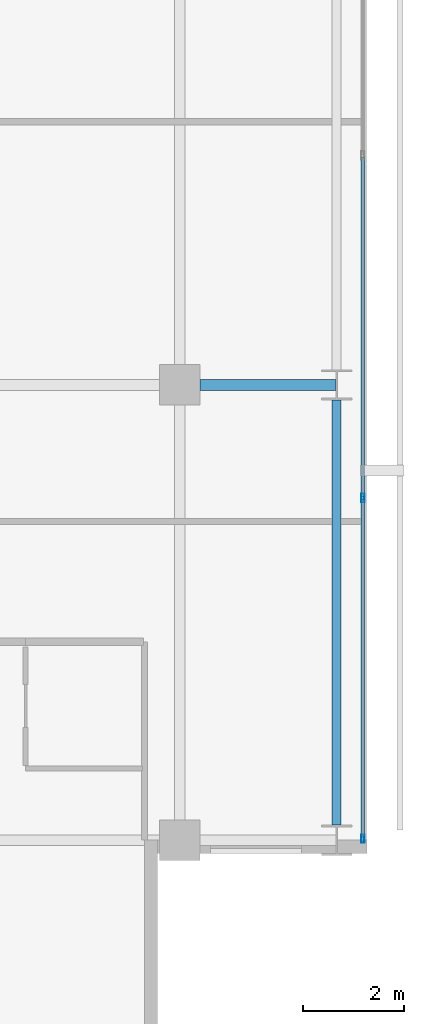
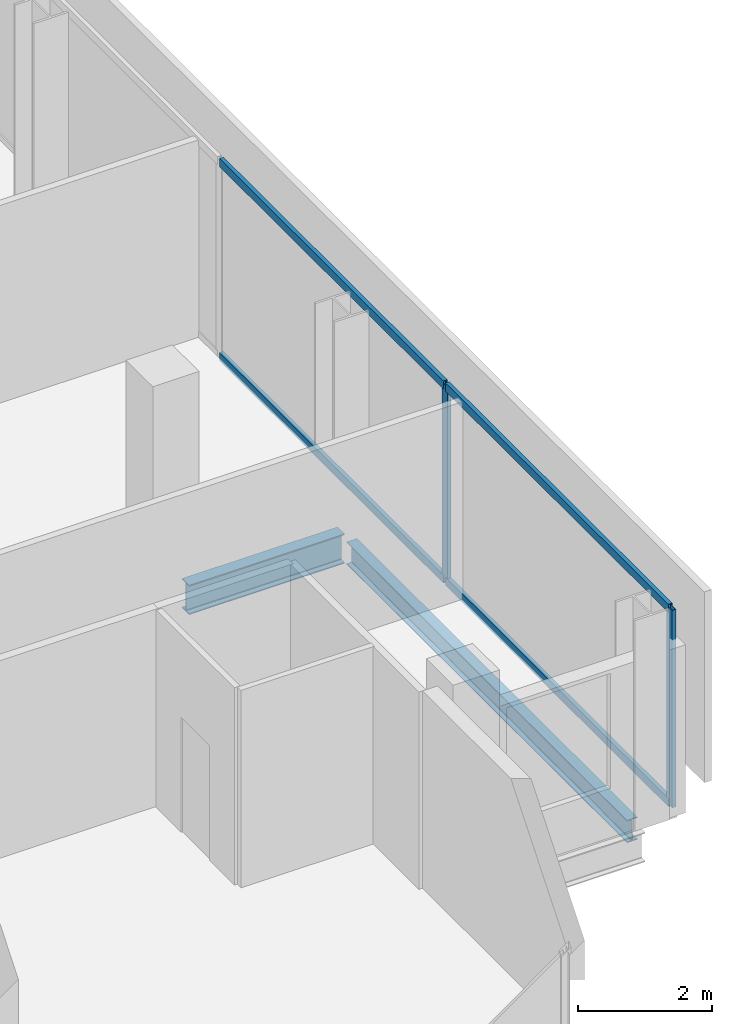
# One storey, part 15 of 32: 6 members, 2 beams, 1 element without a shape of its own.
"""IFC4 building model written with IfcOpenShell, lengths in metres."""

from ifc_helpers import new_model, si_unit, direction, frame, origin, origin_2d, place, context, subcontext, project, spatial, hollow_rectangle, i_section, extrude, material, layer, layer_set, material_profile, profile_set, type_object, element, aggregate, save


model = new_model("IFC4")

# Units and contexts
model_context = context("Model", 3, precision=1e-05, world=origin(), true_north=direction((0.0, 1.0)))
body_context = subcontext(model_context, "Body", "Model", "MODEL_VIEW")
ifc_project = project(units=[si_unit("LENGTHUNIT", "METRE"), si_unit("AREAUNIT", "SQUARE_METRE"), si_unit("VOLUMEUNIT", "CUBIC_METRE"), si_unit("PLANEANGLEUNIT", "RADIAN"), si_unit("MASSUNIT", "GRAM", prefix="KILO")], contexts=[model_context])

# Site, building, storey
site_placement = place(None, origin())
site = spatial("IfcSite", under=ifc_project, at=site_placement, CompositionType="ELEMENT")
building_placement = place(site_placement, origin())
building = spatial("IfcBuilding", under=site, at=building_placement, Name="Maruvema Waterfront Hotel and Observation Tower", CompositionType="ELEMENT")
storey_placement = place(building_placement, frame((0.0, 0.0, 219.800048828125)))
storey = spatial("IfcBuildingStorey", under=building, at=storey_placement, Name="L54", CompositionType="ELEMENT", Elevation=219.800048828125)

# Curtain wall, members
ifc_material_1 = material(Name="Anodised bronze aluminium and solar-control low-E IGU", Category="aluminium")
ifc_layer = layer(ifc_material_1, 0.159912109375, Name="Zone 2 Amber Inner Thermal Curtain Wall System CW-03")
ifc_layer_set = layer_set([ifc_layer], Name="Anodised bronze aluminium and solar-control low-E IGU")
curtain_wall_type = type_object("IfcCurtainWallType", Name="Zone 2 Amber Inner Thermal Curtain Wall System CW-03", PredefinedType="USERDEFINED", material=ifc_layer_set)
curtain_wall_placement = place(storey_placement, origin())
curtain_wall = element("IfcCurtainWall", 1, at=curtain_wall_placement, inside=storey, type_object=curtain_wall_type, Name="L54 Curtain Wall CW-L54-E", ObjectType="UNITISED CURTAIN WALL", PredefinedType="USERDEFINED")
ifc_material_2 = material(Name="Anodised architectural bronze aluminium", Category="aluminium")
ifc_material_profile_1 = material_profile(ifc_material_2, hollow_rectangle(XDim=0.070068359375, YDim=0.14990234375, WallThickness=0.00390625, at=origin_2d()), Name="ALU-T70x150")
ifc_profile_set_1 = profile_set([ifc_material_profile_1], Name="Anodised architectural bronze aluminium")
member_type_1 = type_object("IfcMemberType", Name="Curtain Wall Horizontal Transom ALU-T70x150", PredefinedType="USERDEFINED", material=ifc_profile_set_1)
member_1_placement = place(storey_placement, frame((62.419921875, 9.06005859375, 0.030029296875), z_axis=(0.0, 1.0, 0.0), x_axis=(-1.0, 0.0, 0.0)))
member_1 = element("IfcMember", 2, at=member_1_placement, type_object=member_type_1, Name="CW-03 transom 1.1", ObjectType="TRANSOM", PredefinedType="USERDEFINED", context=body_context, shape_type="SweptSolid", body=[
    extrude(hollow_rectangle(XDim=0.070068359375, YDim=0.14990234375, WallThickness=0.00390625, at=origin_2d()), origin(), (0.0, 0.0, 1.0), 6.676513671875),
])
member_2_placement = place(storey_placement, frame((62.419921875, 9.06005859375, 3.579833984375), z_axis=(0.0, 1.0, 0.0), x_axis=(-1.0, 0.0, 0.0)))
member_2 = element("IfcMember", 3, at=member_2_placement, type_object=member_type_1, Name="CW-03 transom 1.2", ObjectType="TRANSOM", PredefinedType="USERDEFINED", context=body_context, shape_type="SweptSolid", body=[
    extrude(hollow_rectangle(XDim=0.070068359375, YDim=0.14990234375, WallThickness=0.00390625, at=origin_2d()), origin(), (0.0, 0.0, 1.0), 6.676513671875),
])
member_3_placement = place(storey_placement, frame((62.419921875, 15.796630859375, 0.030029296875), z_axis=(0.0, 1.0, 0.0), x_axis=(-1.0, 0.0, 0.0)))
member_3 = element("IfcMember", 4, at=member_3_placement, type_object=member_type_1, Name="CW-03 transom 2.1", ObjectType="TRANSOM", PredefinedType="USERDEFINED", context=body_context, shape_type="SweptSolid", body=[
    extrude(hollow_rectangle(XDim=0.070068359375, YDim=0.14990234375, WallThickness=0.00390625, at=origin_2d()), origin(), (0.0, 0.0, 1.0), 6.706787109375),
])
member_4_placement = place(storey_placement, frame((62.419921875, 15.796630859375, 3.579833984375), z_axis=(0.0, 1.0, 0.0), x_axis=(-1.0, 0.0, 0.0)))
member_4 = element("IfcMember", 5, at=member_4_placement, type_object=member_type_1, Name="CW-03 transom 2.2", ObjectType="TRANSOM", PredefinedType="USERDEFINED", context=body_context, shape_type="SweptSolid", body=[
    extrude(hollow_rectangle(XDim=0.070068359375, YDim=0.14990234375, WallThickness=0.00390625, at=origin_2d()), origin(), (0.0, 0.0, 1.0), 6.706787109375),
])
ifc_material_3 = material(Name="Anodised architectural bronze aluminium", Category="aluminium")
ifc_material_profile_2 = material_profile(ifc_material_3, hollow_rectangle(XDim=0.06494140625, YDim=0.1650390625, WallThickness=0.00390625, at=origin_2d()), Name="ALU-M65x165")
ifc_profile_set_2 = profile_set([ifc_material_profile_2], Name="Anodised architectural bronze aluminium")
member_type_2 = type_object("IfcMemberType", Name="Curtain Wall Primary Mullion ALU-M65x165", PredefinedType="MULLION", material=ifc_profile_set_2)
member_5_placement = place(storey_placement, frame((62.419921875, 9.030029296875, 0.0), z_axis=(0.0, 0.0, 1.0), x_axis=(-1.0, 0.0, 0.0)))
member_5 = element("IfcMember", 6, at=member_5_placement, type_object=member_type_2, Name="CW-03 mullion 1", PredefinedType="MULLION", context=body_context, shape_type="SweptSolid", body=[
    extrude(hollow_rectangle(XDim=0.06494140625, YDim=0.1650390625, WallThickness=0.00390625, at=origin_2d()), origin(), (0.0, 0.0, 1.0), 3.60986328125),
])
member_6_placement = place(storey_placement, frame((62.419921875, 15.7666015625, 0.0), z_axis=(0.0, 0.0, 1.0), x_axis=(-1.0, 0.0, 0.0)))
member_6 = element("IfcMember", 7, at=member_6_placement, type_object=member_type_2, Name="CW-03 mullion 2", PredefinedType="MULLION", context=body_context, shape_type="SweptSolid", body=[
    extrude(hollow_rectangle(XDim=0.06494140625, YDim=0.1650390625, WallThickness=0.00390625, at=origin_2d()), origin(), (0.0, 0.0, 1.0), 3.60986328125),
])
aggregate(curtain_wall, [member_5, member_6, member_1, member_2, member_3, member_4])

# Beams
ifc_material_4 = material(Name="Steel ASTM A572 Grade 50", Category="steel")
ifc_material_profile_3 = material_profile(ifc_material_4, i_section(OverallWidth=0.178955078125, OverallDepth=0.409912109375, WebThickness=0.0087890625, FlangeThickness=0.014404296875, FilletRadius=0.014892578125, at=origin_2d()), Name="W410x67.0")
ifc_profile_set_3 = profile_set([ifc_material_profile_3], Name="Steel ASTM A572 Grade 50")
beam_type_1 = type_object("IfcBeamType", Name="Perimeter Spandrel Beam W410x67.0", PredefinedType="SPANDREL", material=ifc_profile_set_3)
beam_1_placement = place(storey_placement, frame((61.89990234375, 9.300048828125, -0.445068359375), z_axis=(0.0, 1.0, 0.0), x_axis=(-1.0, 0.0, 0.0)))
element("IfcBeam", 8, at=beam_1_placement, inside=storey, type_object=beam_type_1, Name="L54 Floor Girder NS-29", PredefinedType="SPANDREL", context=body_context, shape_type="SweptSolid", body=[
    extrude(i_section(OverallWidth=0.178955078125, OverallDepth=0.409912109375, WebThickness=0.0087890625, FlangeThickness=0.014404296875, FilletRadius=0.014892578125, at=origin_2d()), origin(), (0.0, 0.0, 1.0), 8.39990234375),
])
ifc_material_5 = material(Name="Steel ASTM A572 Grade 50", Category="steel")
ifc_material_profile_4 = material_profile(ifc_material_5, i_section(OverallWidth=0.2109375, OverallDepth=0.5390625, WebThickness=0.01171875, FlangeThickness=0.018798828125, FilletRadius=0.014892578125, at=origin_2d()), Name="W530x109.0")
ifc_profile_set_4 = profile_set([ifc_material_profile_4], Name="Steel ASTM A572 Grade 50")
beam_type_2 = type_object("IfcBeamType", Name="Primary Floor Girder W530x109.0", PredefinedType="BEAM", material=ifc_profile_set_4)
beam_2_placement = place(storey_placement, frame((59.199951171875, 18.0, -0.509521484375), z_axis=(1.0, 0.0, 0.0), x_axis=(0.0, 1.0, 0.0)))
element("IfcBeam", 9, at=beam_2_placement, inside=storey, type_object=beam_type_2, Name="L54 Floor Girder EW-17", PredefinedType="BEAM", context=body_context, shape_type="SweptSolid", body=[
    extrude(i_section(OverallWidth=0.2109375, OverallDepth=0.5390625, WebThickness=0.01171875, FlangeThickness=0.018798828125, FilletRadius=0.014892578125, at=origin_2d()), origin(), (0.0, 0.0, 1.0), 2.6875),
])

save(model, "model.ifc")
